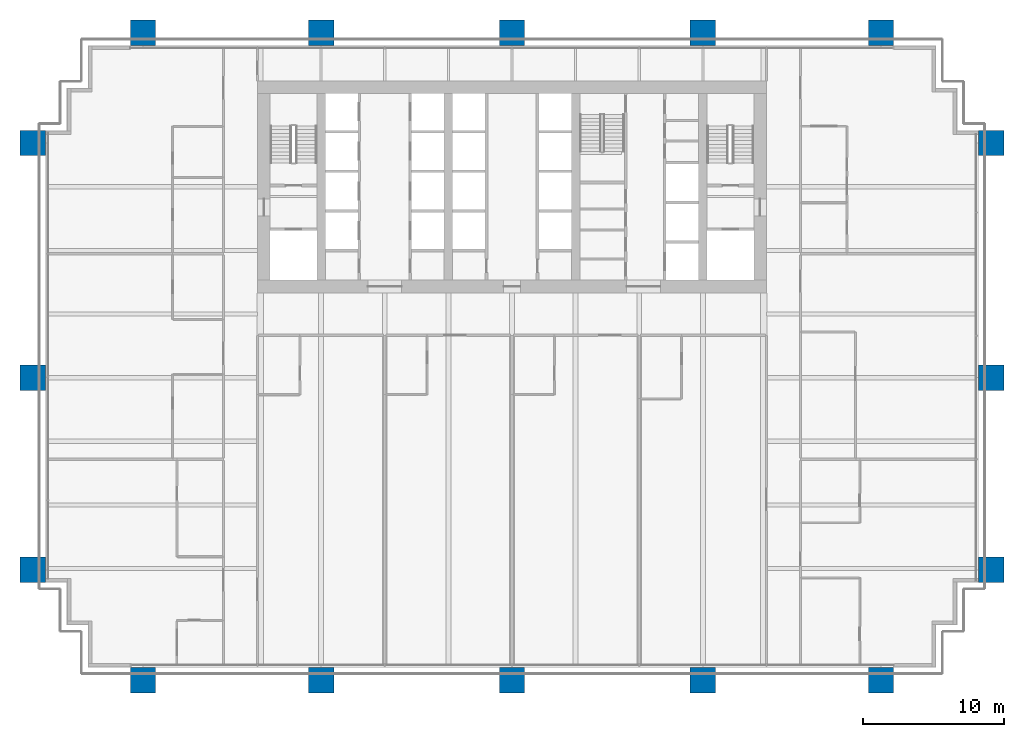
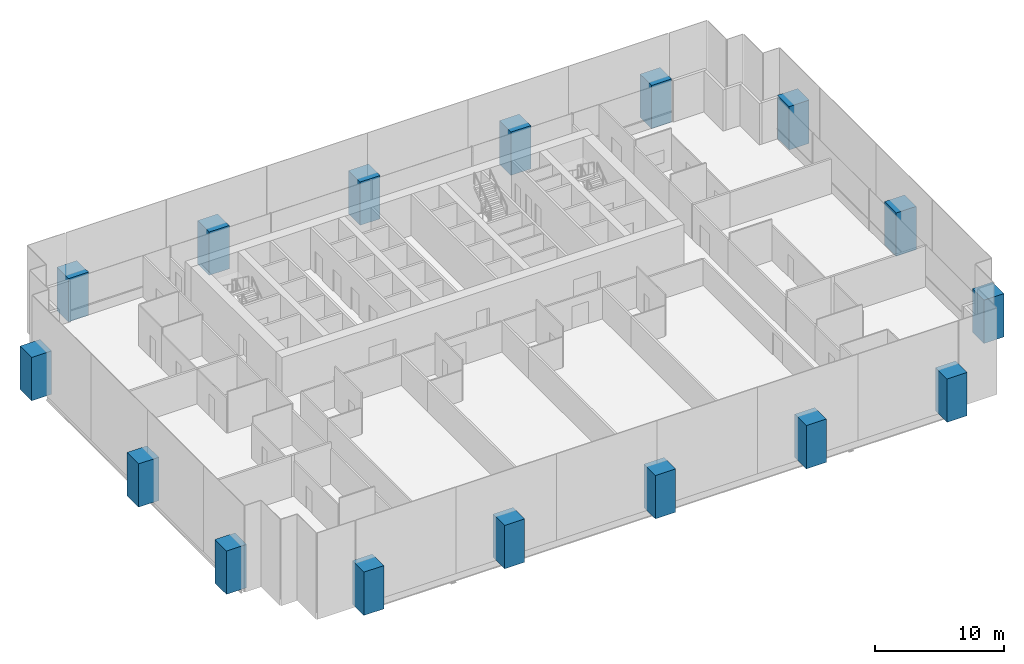
# One storey, part 1 of 18: 16 columns.
"""IFC4 building model written with IfcOpenShell, lengths in metres."""

import ifcopenshell
import ifcopenshell.guid

model = None  # the IFC model being written
_history = None  # IfcOwnerHistory: only IFC2X3 demands one
_inside = {}  # id of a spatial element -> (the spatial element, [elements in it])
_under = {}  # id of a project, library or spatial element -> (it, [spatial elements below it])
_declared = {}  # id of a project -> (the project, [libraries it declares])
_typed = {}  # id of a type object -> (the type object, [elements of that type])
_made_of = {}  # id of a material, layer set ... -> (it, [elements and type objects made of it])


def new_model(schema):
    """Start an empty IFC model of exactly this schema.

    Asked for "IFC4X3", IfcOpenShell would pick the latest addendum, in which some entities
    have other attributes; the version numbers below select the first issue.
    IFC2X3 requires an IfcOwnerHistory on every rooted entity: one is made here for all.
    """
    global model, _history
    if schema == "IFC4X3":
        model = ifcopenshell.file(schema_version=(4, 3, 0, 0))
    else:
        model = ifcopenshell.file(schema=schema)
    _inside.clear()
    _under.clear()
    _declared.clear()
    _typed.clear()
    _made_of.clear()
    _history = None
    if model.schema == "IFC2X3":
        org = make("IfcOrganization", Name="unknown")
        user = make(
            "IfcPersonAndOrganization",
            ThePerson=make("IfcPerson", FamilyName="unknown"),
            TheOrganization=org,
        )
        app = make(
            "IfcApplication",
            ApplicationDeveloper=org,
            Version="unknown",
            ApplicationFullName="unknown",
            ApplicationIdentifier="unknown",
        )
        _history = make(
            "IfcOwnerHistory",
            OwningUser=user,
            OwningApplication=app,
            ChangeAction="ADDED",
            CreationDate=0,
        )
    return model


def make(cls, **values):
    """One entity of the class cls with the attributes given. An attribute that is None is left unset."""
    return model.create_entity(
        cls, **{name: value for name, value in values.items() if value is not None}
    )


def rooted(cls, **values):
    """An entity with a GlobalId (a new one), such as an element, a storey or a relation."""
    return make(cls, GlobalId=ifcopenshell.guid.new(), OwnerHistory=_history, **values)


def si_unit(unit_type, name, prefix=None):
    """IfcSIUnit, for example si_unit("LENGTHUNIT", "METRE", prefix="MILLI")."""
    return make("IfcSIUnit", UnitType=unit_type, Prefix=prefix, Name=name)


def assignment(units):
    """IfcUnitAssignment: the units of a project."""
    return None if units is None else make("IfcUnitAssignment", Units=units)


def point(xyz):
    """IfcCartesianPoint."""
    return None if xyz is None else make("IfcCartesianPoint", Coordinates=xyz)


def direction(xyz):
    """IfcDirection."""
    return None if xyz is None else make("IfcDirection", DirectionRatios=xyz)


def frame(location, z_axis=None, x_axis=None):
    """IfcAxis2Placement3D, a coordinate frame: its origin and axes. An axis left out is left unset."""
    return make(
        "IfcAxis2Placement3D",
        Location=point(location),
        Axis=direction(z_axis),
        RefDirection=direction(x_axis),
    )


def frame_2d(location, x_axis=None):
    """IfcAxis2Placement2D, a coordinate frame in the plane: its origin and x axis."""
    return make(
        "IfcAxis2Placement2D", Location=point(location), RefDirection=direction(x_axis)
    )


def origin():
    """The frame at (0, 0, 0) with its axes left unset."""
    return frame((0.0, 0.0, 0.0))


def origin_2d():
    """The frame at (0, 0) in the plane with its x axis left unset."""
    return frame_2d((0.0, 0.0))


def place(relative_to, where):
    """IfcLocalPlacement: puts the frame where relative to a parent placement (None: the world)."""
    return make(
        "IfcLocalPlacement", PlacementRelTo=relative_to, RelativePlacement=where
    )


def context(
    kind, dimensions, precision=None, world=None, true_north=None, identifier=None
):
    """IfcGeometricRepresentationContext, for example the 3D "Model" context."""
    return make(
        "IfcGeometricRepresentationContext",
        ContextIdentifier=identifier,
        ContextType=kind,
        CoordinateSpaceDimension=dimensions,
        Precision=precision,
        WorldCoordinateSystem=world,
        TrueNorth=true_north,
    )


def subcontext(parent, identifier, kind, view, scale=None):
    """IfcGeometricRepresentationSubContext, for example "Body" below "Model"."""
    return make(
        "IfcGeometricRepresentationSubContext",
        ContextIdentifier=identifier,
        ContextType=kind,
        ParentContext=parent,
        TargetScale=scale,
        TargetView=view,
    )


def project(units=None, contexts=None):
    """IfcProject with its units and contexts."""
    return rooted(
        "IfcProject",
        Name="project",
        RepresentationContexts=contexts,
        UnitsInContext=assignment(units),
    )


def spatial(cls, under=None, at=None, **own):
    """A site, building, storey or space (cls), placed at a placement, below another one or the project."""
    s = rooted(cls, ObjectPlacement=at, **own)
    if under is not None:
        _under.setdefault(under.id(), (under, []))[1].append(s)
    return s


def profile(cls, at=None, kind="AREA", **sizes):
    """A parametric profile (cls). Its sizes go by their IFC names, for example OverallWidth=200.0."""
    return make(cls, ProfileType=kind, Position=at, **sizes)


def rectangle(**sizes):
    """IfcRectangleProfileDef."""
    return profile("IfcRectangleProfileDef", **sizes)


def extrude(swept, where, along, depth):
    """IfcExtrudedAreaSolid: the profile swept, set in the frame where, extruded along a direction by depth."""
    return make(
        "IfcExtrudedAreaSolid",
        SweptArea=swept,
        Position=where,
        ExtrudedDirection=direction(along),
        Depth=depth,
    )


def shape(context_of_items, identifier, shape_type, items):
    """IfcShapeRepresentation: the items that make up one representation, for example the "Body"."""
    return make(
        "IfcShapeRepresentation",
        ContextOfItems=context_of_items,
        RepresentationIdentifier=identifier,
        RepresentationType=shape_type,
        Items=items,
    )


def material(Name=None, Category=None):
    """IfcMaterial."""
    return make("IfcMaterial", Name=Name, Category=Category)


def material_profile(
    of_material, cross_section, Name=None, Category=None, Priority=None
):
    """IfcMaterialProfile: a cross section and its material."""
    return make(
        "IfcMaterialProfile",
        Name=Name,
        Material=of_material,
        Profile=cross_section,
        Priority=Priority,
        Category=Category,
    )


def profile_set(profiles, Name=None, composite=None):
    """IfcMaterialProfileSet."""
    return make(
        "IfcMaterialProfileSet",
        Name=Name,
        MaterialProfiles=profiles,
        CompositeProfile=composite,
    )


def made_of(thing, what):
    """Note that an element or type object is made of a material, layer set ...; save() writes the relation."""
    if what is not None:
        _made_of.setdefault(what.id(), (what, []))[1].append(thing)
    return thing


def type_object(cls, material=None, **own):
    """A type object (cls), such as IfcWallType, which elements share."""
    return made_of(rooted(cls, **own), material)


def element(
    cls,
    number,
    at=None,
    inside=None,
    cuts=None,
    type_object=None,
    material=None,
    context=None,
    identifier="Body",
    shape_type=None,
    held_by="IfcProductDefinitionShape",
    body=None,
    shapes=None,
    **own,
):
    """One element of the class cls, such as IfcWall. Its Tag is "e" and its number.

    at: its placement. inside: the storey or other place that contains it. cuts: it is an
    opening in that element (IfcRelVoidsElement). A single representation is given by context,
    identifier, shape_type and body (its items); several are given by shapes. held_by: the class
    of the entity that holds the representations. save() writes the other relations.
    """
    e = rooted(cls, Tag="e%d" % number, ObjectPlacement=at, **own)
    if body is not None:
        shapes = [shape(context, identifier, shape_type, body)]
    if shapes is not None:
        e.Representation = make(held_by, Representations=shapes)
    if inside is not None:
        _inside.setdefault(inside.id(), (inside, []))[1].append(e)
    if cuts is not None:
        rooted(
            "IfcRelVoidsElement", RelatingBuildingElement=cuts, RelatedOpeningElement=e
        )
    if type_object is not None:
        _typed.setdefault(type_object.id(), (type_object, []))[1].append(e)
    return made_of(e, material)


def aggregate(whole, parts):
    """IfcRelAggregates: a whole, such as a stair, and the parts it consists of."""
    return rooted("IfcRelAggregates", RelatingObject=whole, RelatedObjects=parts)


def save(model, path):
    """Write the relations noted so far, then the file.

    IfcRelAggregates (storeys below a building ...), IfcRelContainedInSpatialStructure (elements
    in a storey), IfcRelDefinesByType, IfcRelAssociatesMaterial and IfcRelDeclares: one each for
    every whole, place, type object, material and project.
    """
    for whole, parts in _under.values():
        aggregate(whole, parts)
    for where, things in _inside.values():
        rooted(
            "IfcRelContainedInSpatialStructure",
            RelatedElements=things,
            RelatingStructure=where,
        )
    for kind, things in _typed.values():
        rooted("IfcRelDefinesByType", RelatedObjects=things, RelatingType=kind)
    for what, things in _made_of.values():
        rooted("IfcRelAssociatesMaterial", RelatedObjects=things, RelatingMaterial=what)
    for by, libraries in _declared.values():
        rooted("IfcRelDeclares", RelatingContext=by, RelatedDefinitions=libraries)
    model.write(path)


model = new_model("IFC4")

# Units and contexts
model_context = context("Model", 3, precision=1e-05, world=origin(), true_north=direction((0.0, 1.0)))
body_context = subcontext(model_context, "Body", "Model", "MODEL_VIEW")
ifc_project = project(units=[si_unit("LENGTHUNIT", "METRE"), si_unit("AREAUNIT", "SQUARE_METRE"), si_unit("VOLUMEUNIT", "CUBIC_METRE"), si_unit("PLANEANGLEUNIT", "RADIAN"), si_unit("MASSUNIT", "GRAM", prefix="KILO")], contexts=[model_context])

# Site, building, storey
site_placement = place(None, origin())
site = spatial("IfcSite", under=ifc_project, at=site_placement, CompositionType="ELEMENT")
building_placement = place(site_placement, origin())
building = spatial("IfcBuilding", under=site, at=building_placement, Name="Rattan Terrace Tower", CompositionType="ELEMENT")
storey_placement = place(building_placement, frame((0.0, 0.0, 57.0)))
storey = spatial("IfcBuildingStorey", under=building, at=storey_placement, Name="L12", CompositionType="ELEMENT", Elevation=57.0)

# Columns
ifc_material = material(Name="Concrete C60/75", Category="concrete")
ifc_material_profile = material_profile(ifc_material, rectangle(XDim=1.800048828125, YDim=1.800048828125, at=origin_2d()), Name="CFT 1800x1800")
ifc_profile_set = profile_set([ifc_material_profile], Name="Concrete C60/75")
column_type = type_object("IfcColumnType", Name="Frame exoskeleton column CFT 1800x1800", PredefinedType="COLUMN", material=ifc_profile_set)
for number, where, z_axis, x_axis, name in (
    (1, (-26.10009765625, -34.89990234375, -0.199951171875), (0.0, 0.0, 1.0), (1.0, 0.0, 0.0), "exo-L12-001"),
    (2, (-13.5, -34.89990234375, -0.199951171875), (0.0, 0.0, 1.0), (1.0, 0.0, 0.0), "exo-L12-002"),
    (3, (0.0, -34.89990234375, -0.199951171875), (0.0, 0.0, 1.0), (1.0, 0.0, 0.0), "exo-L12-003"),
    (4, (13.5, -34.89990234375, -0.199951171875), (0.0, 0.0, 1.0), (1.0, 0.0, 0.0), "exo-L12-004"),
    (5, (26.10009765625, -34.89990234375, -0.199951171875), (0.0, 0.0, 1.0), (1.0, 0.0, 0.0), "exo-L12-005"),
    (6, (-33.89990234375, -27.10009765625, -0.199951171875), (0.0, 0.0, 1.0), (0.0, 1.0, 0.0), "exo-L12-006"),
    (7, (33.89990234375, -27.10009765625, -0.199951171875), (0.0, 0.0, 1.0), (0.0, 1.0, 0.0), "exo-L12-007"),
    (8, (-33.89990234375, -13.5, -0.199951171875), (0.0, 0.0, 1.0), (0.0, 1.0, 0.0), "exo-L12-008"),
    (9, (33.89990234375, -13.5, -0.199951171875), (0.0, 0.0, 1.0), (0.0, 1.0, 0.0), "exo-L12-009"),
    (10, (-33.89990234375, 3.10009765625, -0.199951171875), (0.0, 0.0, 1.0), (0.0, 1.0, 0.0), "exo-L12-010"),
    (11, (33.89990234375, 3.10009765625, -0.199951171875), (0.0, 0.0, 1.0), (0.0, 1.0, 0.0), "exo-L12-011"),
    (12, (-26.10009765625, 10.89990234375, -0.199951171875), (0.0, 0.0, 1.0), (1.0, 0.0, 0.0), "exo-L12-012"),
    (13, (-13.5, 10.89990234375, -0.199951171875), (0.0, 0.0, 1.0), (1.0, 0.0, 0.0), "exo-L12-013"),
    (14, (0.0, 10.89990234375, -0.199951171875), (0.0, 0.0, 1.0), (1.0, 0.0, 0.0), "exo-L12-014"),
    (15, (13.5, 10.89990234375, -0.199951171875), (0.0, 0.0, 1.0), (1.0, 0.0, 0.0), "exo-L12-015"),
    (16, (26.10009765625, 10.89990234375, -0.199951171875), (0.0, 0.0, 1.0), (1.0, 0.0, 0.0), "exo-L12-016"),
):
    element("IfcColumn", number, at=place(storey_placement, frame(where, z_axis=z_axis, x_axis=x_axis)), inside=storey, type_object=column_type, Name=name, PredefinedType="COLUMN", context=body_context, shape_type="SweptSolid", body=[
        extrude(rectangle(XDim=1.800048828125, YDim=1.800048828125, at=origin_2d()), origin(), (0.0, 0.0, 1.0), 4.099853515625),
    ])

save(model, "model.ifc")
